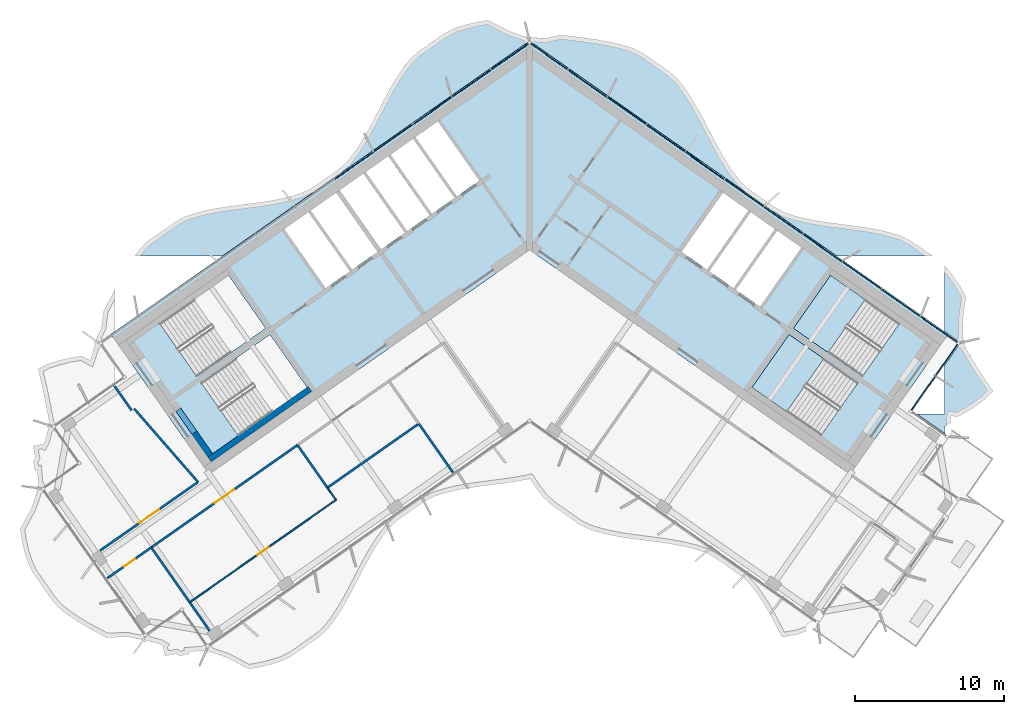
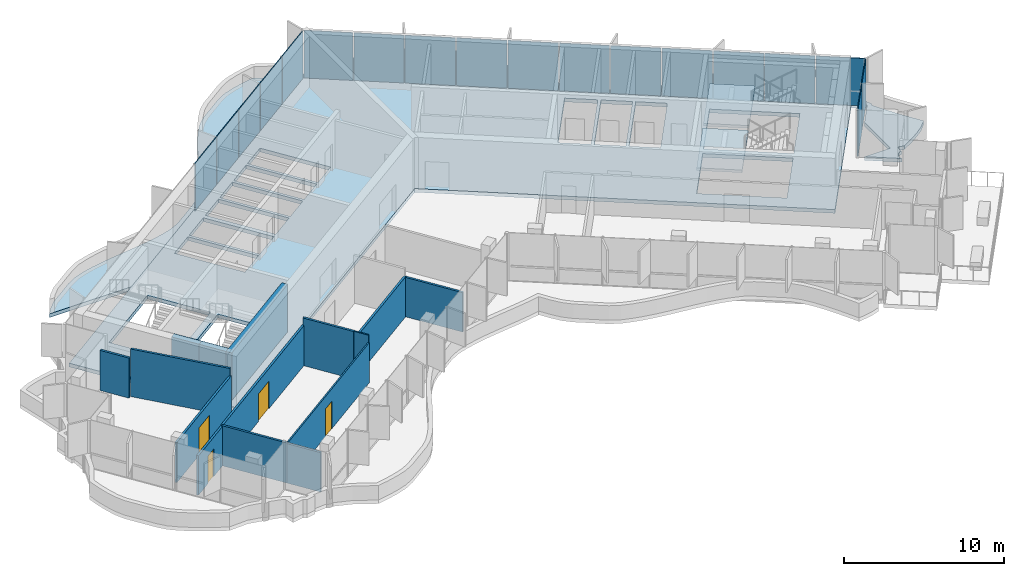
# One storey, part 8 of 18: 18 plates, 15 walls, 5 slabs, 4 doors, 4 openings, 3 elements without a shape of their own.
"""IFC4 building model written with IfcOpenShell, lengths in metres."""

from ifc_helpers import new_model, si_unit, direction, frame, frame_2d, origin, origin_2d, place, context, subcontext, project, spatial, polyline, rectangle, outline, extrude, material, layer, layer_set, type_object, element, fill, aggregate, save


model = new_model("IFC4")

# Units and contexts
model_context = context("Model", 3, precision=1e-05, world=origin(), true_north=direction((0.0, 1.0)))
body_context = subcontext(model_context, "Body", "Model", "MODEL_VIEW")
ifc_project = project(units=[si_unit("LENGTHUNIT", "METRE"), si_unit("AREAUNIT", "SQUARE_METRE"), si_unit("VOLUMEUNIT", "CUBIC_METRE"), si_unit("PLANEANGLEUNIT", "RADIAN"), si_unit("MASSUNIT", "GRAM", prefix="KILO")], contexts=[model_context])

# Site, building, storey
site_placement = place(None, origin())
site = spatial("IfcSite", under=ifc_project, at=site_placement, CompositionType="ELEMENT")
building_placement = place(site_placement, origin())
building = spatial("IfcBuilding", under=site, at=building_placement, Name="Tel Ilan Convention Tower", CompositionType="ELEMENT")
storey_placement = place(building_placement, frame((0.0, 0.0, 272.199951171875)))
storey = spatial("IfcBuildingStorey", under=building, at=storey_placement, Name="L64", CompositionType="ELEMENT", Elevation=272.199951171875)

# Curtain wall, plates
ifc_material_1 = material(Name="Aluminium, bronze anodised", Category="aluminium")
curtain_wall_type = type_object("IfcCurtainWallType", Name="CW2 STICK CURTAIN WALL, SPANDREL PANELS", PredefinedType="NOTDEFINED", material=ifc_material_1)
curtain_wall_placement = place(storey_placement, origin())
curtain_wall = element("IfcCurtainWall", 1, at=curtain_wall_placement, inside=storey, type_object=curtain_wall_type, Name="Curtain wall CW2-49.03", PredefinedType="NOTDEFINED")
ifc_material_2 = material(Name="Aluminium composite panel, bronze anodised", Category="aluminium")
ifc_layer_1 = layer(ifc_material_2, 0.06005859375)
ifc_layer_set_1 = layer_set([ifc_layer_1], Name="CW SPANDREL PANEL 60")
plate_type = type_object("IfcPlateType", Name="CW SPANDREL PANEL 60", PredefinedType="CURTAIN_PANEL", material=ifc_layer_set_1)
plate_1_placement = place(storey_placement, frame((26.45947265625, -10.85400390625, 0.0), z_axis=(0.0, 0.0, 1.0), x_axis=(0.573576436351, 0.819152044289, 0.0)))
plate_1 = element("IfcPlate", 2, at=plate_1_placement, type_object=plate_type, Name="Spandrel panel", PredefinedType="CURTAIN_PANEL", context=body_context, shape_type="SweptSolid", body=[
    extrude(rectangle(XDim=2.76904296875, YDim=0.06005859375, at=origin_2d()), origin(), (0.0, 0.0, 1.0), 3.6201171875),
])
plate_2_placement = place(storey_placement, frame((28.042236328125, -8.593505859375, 0.0), z_axis=(0.0, 0.0, 1.0), x_axis=(0.573576436351, 0.819152044289, 0.0)))
plate_2 = element("IfcPlate", 3, at=plate_2_placement, type_object=plate_type, Name="Spandrel panel", PredefinedType="CURTAIN_PANEL", context=body_context, shape_type="SweptSolid", body=[
    extrude(rectangle(XDim=2.6298828125, YDim=0.06005859375, at=origin_2d()), origin(), (0.0, 0.0, 1.0), 3.6201171875),
])
plate_3_placement = place(storey_placement, frame((27.5400390625, -6.587646484375, 0.0), z_axis=(0.0, 0.0, 1.0), x_axis=(-0.819152044289, 0.573576436351, 0.0)))
plate_3 = element("IfcPlate", 4, at=plate_3_placement, type_object=plate_type, Name="Spandrel panel", PredefinedType="CURTAIN_PANEL", context=body_context, shape_type="SweptSolid", body=[
    extrude(rectangle(XDim=3.0439453125, YDim=0.06005859375, at=origin_2d()), origin(), (0.0, 0.0, 1.0), 3.6201171875),
])
plate_4_placement = place(storey_placement, frame((24.95263671875, -4.77587890625, 0.0), z_axis=(0.0, 0.0, 1.0), x_axis=(-0.819152044289, 0.573576436351, 0.0)))
plate_4 = element("IfcPlate", 5, at=plate_4_placement, type_object=plate_type, Name="Spandrel panel", PredefinedType="CURTAIN_PANEL", context=body_context, shape_type="SweptSolid", body=[
    extrude(rectangle(XDim=3.15380859375, YDim=0.06005859375, at=origin_2d()), origin(), (0.0, 0.0, 1.0), 3.6201171875),
])
plate_5_placement = place(storey_placement, frame((22.31982421875, -2.9326171875, 0.0), z_axis=(0.0, 0.0, 1.0), x_axis=(-0.819152044289, 0.573576436351, 0.0)))
plate_5 = element("IfcPlate", 6, at=plate_5_placement, type_object=plate_type, Name="Spandrel panel", PredefinedType="CURTAIN_PANEL", context=body_context, shape_type="SweptSolid", body=[
    extrude(rectangle(XDim=3.15380859375, YDim=0.06005859375, at=origin_2d()), origin(), (0.0, 0.0, 1.0), 3.6201171875),
])
plate_6_placement = place(storey_placement, frame((19.687255859375, -1.089111328125, 0.0), z_axis=(0.0, 0.0, 1.0), x_axis=(-0.819152044289, 0.573576436351, 0.0)))
plate_6 = element("IfcPlate", 7, at=plate_6_placement, type_object=plate_type, Name="Spandrel panel", PredefinedType="CURTAIN_PANEL", context=body_context, shape_type="SweptSolid", body=[
    extrude(rectangle(XDim=3.15380859375, YDim=0.06005859375, at=origin_2d()), origin(), (0.0, 0.0, 1.0), 3.6201171875),
])
plate_7_placement = place(storey_placement, frame((17.0546875, 0.754150390625, 0.0), z_axis=(0.0, 0.0, 1.0), x_axis=(-0.819152044289, 0.573576436351, 0.0)))
plate_7 = element("IfcPlate", 8, at=plate_7_placement, type_object=plate_type, Name="Spandrel panel", PredefinedType="CURTAIN_PANEL", context=body_context, shape_type="SweptSolid", body=[
    extrude(rectangle(XDim=3.15380859375, YDim=0.06005859375, at=origin_2d()), origin(), (0.0, 0.0, 1.0), 3.6201171875),
])
plate_8_placement = place(storey_placement, frame((14.422119140625, 2.59765625, 0.0), z_axis=(0.0, 0.0, 1.0), x_axis=(-0.819152044289, 0.573576436351, 0.0)))
plate_8 = element("IfcPlate", 9, at=plate_8_placement, type_object=plate_type, Name="Spandrel panel", PredefinedType="CURTAIN_PANEL", context=body_context, shape_type="SweptSolid", body=[
    extrude(rectangle(XDim=3.15380859375, YDim=0.06005859375, at=origin_2d()), origin(), (0.0, 0.0, 1.0), 3.6201171875),
])
plate_9_placement = place(storey_placement, frame((11.789306640625, 4.44091796875, 0.0), z_axis=(0.0, 0.0, 1.0), x_axis=(-0.819152044289, 0.573576436351, 0.0)))
plate_9 = element("IfcPlate", 10, at=plate_9_placement, type_object=plate_type, Name="Spandrel panel", PredefinedType="CURTAIN_PANEL", context=body_context, shape_type="SweptSolid", body=[
    extrude(rectangle(XDim=3.15380859375, YDim=0.06005859375, at=origin_2d()), origin(), (0.0, 0.0, 1.0), 3.6201171875),
])
plate_10_placement = place(storey_placement, frame((9.15673828125, 6.284423828125, 0.0), z_axis=(0.0, 0.0, 1.0), x_axis=(-0.819152044289, 0.573576436351, 0.0)))
plate_10 = element("IfcPlate", 11, at=plate_10_placement, type_object=plate_type, Name="Spandrel panel", PredefinedType="CURTAIN_PANEL", context=body_context, shape_type="SweptSolid", body=[
    extrude(rectangle(XDim=3.15380859375, YDim=0.06005859375, at=origin_2d()), origin(), (0.0, 0.0, 1.0), 3.6201171875),
])
plate_11_placement = place(storey_placement, frame((6.524169921875, 8.127685546875, 0.0), z_axis=(0.0, 0.0, 1.0), x_axis=(-0.819152044289, 0.573576436351, 0.0)))
plate_11 = element("IfcPlate", 12, at=plate_11_placement, type_object=plate_type, Name="Spandrel panel", PredefinedType="CURTAIN_PANEL", context=body_context, shape_type="SweptSolid", body=[
    extrude(rectangle(XDim=3.15380859375, YDim=0.06005859375, at=origin_2d()), origin(), (0.0, 0.0, 1.0), 3.6201171875),
])
plate_12_placement = place(storey_placement, frame((3.8916015625, 9.97119140625, 0.0), z_axis=(0.0, 0.0, 1.0), x_axis=(-0.819152044289, 0.573576436351, 0.0)))
plate_12 = element("IfcPlate", 13, at=plate_12_placement, type_object=plate_type, Name="Spandrel panel", PredefinedType="CURTAIN_PANEL", context=body_context, shape_type="SweptSolid", body=[
    extrude(rectangle(XDim=3.15380859375, YDim=0.06005859375, at=origin_2d()), origin(), (0.0, 0.0, 1.0), 3.6201171875),
])
plate_13_placement = place(storey_placement, frame((1.303955078125, 11.782958984375, 0.0), z_axis=(0.0, 0.0, 1.0), x_axis=(-0.819152044289, 0.573576436351, 0.0)))
plate_13 = element("IfcPlate", 14, at=plate_13_placement, type_object=plate_type, Name="Spandrel panel", PredefinedType="CURTAIN_PANEL", context=body_context, shape_type="SweptSolid", body=[
    extrude(rectangle(XDim=3.0439453125, YDim=0.06005859375, at=origin_2d()), origin(), (0.0, 0.0, 1.0), 3.6201171875),
])
plate_14_placement = place(storey_placement, frame((-1.303955078125, 11.782958984375, 0.0), z_axis=(0.0, 0.0, 1.0), x_axis=(-0.819152044289, -0.573576436351, 0.0)))
plate_14 = element("IfcPlate", 15, at=plate_14_placement, type_object=plate_type, Name="Spandrel panel", PredefinedType="CURTAIN_PANEL", context=body_context, shape_type="SweptSolid", body=[
    extrude(rectangle(XDim=3.0439453125, YDim=0.06005859375, at=origin_2d()), origin(), (0.0, 0.0, 1.0), 3.6201171875),
])
plate_15_placement = place(storey_placement, frame((-3.8916015625, 9.97119140625, 0.0), z_axis=(0.0, 0.0, 1.0), x_axis=(-0.819152044289, -0.573576436351, 0.0)))
plate_15 = element("IfcPlate", 16, at=plate_15_placement, type_object=plate_type, Name="Spandrel panel", PredefinedType="CURTAIN_PANEL", context=body_context, shape_type="SweptSolid", body=[
    extrude(rectangle(XDim=3.15380859375, YDim=0.06005859375, at=origin_2d()), origin(), (0.0, 0.0, 1.0), 3.6201171875),
])
plate_16_placement = place(storey_placement, frame((-6.524169921875, 8.127685546875, 0.0), z_axis=(0.0, 0.0, 1.0), x_axis=(-0.819152044289, -0.573576436351, 0.0)))
plate_16 = element("IfcPlate", 17, at=plate_16_placement, type_object=plate_type, Name="Spandrel panel", PredefinedType="CURTAIN_PANEL", context=body_context, shape_type="SweptSolid", body=[
    extrude(rectangle(XDim=3.15380859375, YDim=0.06005859375, at=origin_2d()), origin(), (0.0, 0.0, 1.0), 3.6201171875),
])
plate_17_placement = place(storey_placement, frame((-9.15673828125, 6.284423828125, 0.0), z_axis=(0.0, 0.0, 1.0), x_axis=(-0.819152044289, -0.573576436351, 0.0)))
plate_17 = element("IfcPlate", 18, at=plate_17_placement, type_object=plate_type, Name="Spandrel panel", PredefinedType="CURTAIN_PANEL", context=body_context, shape_type="SweptSolid", body=[
    extrude(rectangle(XDim=3.15380859375, YDim=0.06005859375, at=origin_2d()), origin(), (0.0, 0.0, 1.0), 3.6201171875),
])
plate_18_placement = place(storey_placement, frame((-11.789306640625, 4.44091796875, 0.0), z_axis=(0.0, 0.0, 1.0), x_axis=(-0.819152044289, -0.573576436351, 0.0)))
plate_18 = element("IfcPlate", 19, at=plate_18_placement, type_object=plate_type, Name="Spandrel panel", PredefinedType="CURTAIN_PANEL", context=body_context, shape_type="SweptSolid", body=[
    extrude(rectangle(XDim=3.15380859375, YDim=0.06005859375, at=origin_2d()), origin(), (0.0, 0.0, 1.0), 3.6201171875),
])
aggregate(curtain_wall, [plate_1, plate_2, plate_3, plate_4, plate_5, plate_6, plate_7, plate_8, plate_9, plate_10, plate_11, plate_12, plate_13, plate_14, plate_15, plate_16, plate_17, plate_18])

# Stair, slab
ifc_material_3 = material(Name="Concrete C40/50", Category="concrete")
stair_type = type_object("IfcStairType", Name="Pressurised Exit Stair 22 risers 177 mm", PredefinedType="HALF_TURN_STAIR", material=ifc_material_3)
stair_1_placement = place(storey_placement, origin())
stair_1 = element("IfcStair", 20, at=stair_1_placement, inside=storey, type_object=stair_type, Name="L64 Pressurised Stair S3", PredefinedType="HALF_TURN_STAIR")
ifc_material_4 = material(Name="Concrete C40/50", Category="concrete")
ifc_layer_2 = layer(ifc_material_4, 0.199951171875)
ifc_layer_set_2 = layer_set([ifc_layer_2], Name="Concrete Stair Landing 200 mm C40/50")
slab_type_1 = type_object("IfcSlabType", Name="Concrete Stair Landing 200 mm", PredefinedType="LANDING", material=ifc_layer_set_2)
slab_1_placement = place(storey_placement, frame((0.0, 0.0, 1.75)))
slab_1 = element("IfcSlab", 21, at=slab_1_placement, type_object=slab_type_1, Name="S3 landing 1", PredefinedType="LANDING", context=body_context, shape_type="SweptSolid", body=[
    extrude(outline(polyline([(22.561767578125, -4.566650390625), (20.226318359375, -2.931640625), (17.7314453125, -6.494873046875), (20.066650390625, -8.130126953125), (22.561767578125, -4.566650390625)])), origin(), (0.0, 0.0, 1.0), 0.199951171875),
])
aggregate(stair_1, [slab_1])

stair_2_placement = place(storey_placement, origin())
stair_2 = element("IfcStair", 22, at=stair_2_placement, inside=storey, type_object=stair_type, Name="L64 Pressurised Stair S4", PredefinedType="HALF_TURN_STAIR")
slab_2_placement = place(storey_placement, frame((0.0, 0.0, 1.75)))
slab_2 = element("IfcSlab", 23, at=slab_2_placement, type_object=slab_type_1, Name="S4 landing 1", PredefinedType="LANDING", context=body_context, shape_type="SweptSolid", body=[
    extrude(outline(polyline([(19.77978515625, -8.53955078125), (17.444580078125, -6.904541015625), (14.949462890625, -10.4677734375), (17.28466796875, -12.10302734375), (19.77978515625, -8.53955078125)])), origin(), (0.0, 0.0, 1.0), 0.199951171875),
])
aggregate(stair_2, [slab_2])

# Slabs
ifc_material_5 = material(Name="Concrete C40/50", Category="concrete")
ifc_layer_3 = layer(ifc_material_5, 0.280029296875)
ifc_layer_set_3 = layer_set([ifc_layer_3], Name="Core Floor Slab 280 mm C40/50")
slab_type_2 = type_object("IfcSlabType", Name="Core Floor Slab 280 mm C40/50", PredefinedType="FLOOR", material=ifc_layer_set_3)
slab_3_placement = place(storey_placement, frame((0.0, 0.0, -0.280029296875)))
element("IfcSlab", 24, at=slab_3_placement, inside=storey, type_object=slab_type_2, Name="L64 core floor 1", PredefinedType="FLOOR", context=body_context, shape_type="SweptSolid", body=[
    extrude(outline(polyline([(-28.1396484375, -6.885498046875), (0.0, 12.818115234375), (28.1396484375, -6.885498046875), (21.54345703125, -16.3056640625), (0.0, -1.220703125), (-21.54345703125, -16.3056640625), (-28.1396484375, -6.885498046875)]), holes=[polyline([(-17.444580078125, -6.904541015625), (-22.072021484375, -10.144775390625), (-19.5771484375, -13.7080078125), (-14.949462890625, -10.4677734375), (-17.444580078125, -6.904541015625)]), polyline([(-17.7314453125, -6.494873046875), (-20.226318359375, -2.931640625), (-24.85400390625, -6.171875), (-22.35888671875, -9.735107421875), (-17.7314453125, -6.494873046875)]), polyline([(-14.864990234375, 1.310791015625), (-16.48291015625, 0.177978515625), (-13.701171875, -3.794921875), (-12.083251953125, -2.662109375), (-14.864990234375, 1.310791015625)]), polyline([(-14.701416015625, 1.425537109375), (-11.91943359375, -2.54736328125), (-10.2197265625, -1.357421875), (-13.001708984375, 2.615478515625), (-14.701416015625, 1.425537109375)]), polyline([(-11.168701171875, 3.89892578125), (-12.755859375, 2.78759765625), (-9.97412109375, -1.185302734375), (-8.386962890625, -0.073974609375), (-11.168701171875, 3.89892578125)]), polyline([(-9.499755859375, 5.067626953125), (-11.0048828125, 4.013671875), (-8.222900390625, 0.040771484375), (-6.718017578125, 1.0947265625), (-9.499755859375, 5.067626953125)]), polyline([(-9.3359375, 5.182373046875), (-6.553955078125, 1.20947265625), (-5.048828125, 2.263427734375), (-7.830810546875, 6.236328125), (-9.3359375, 5.182373046875)]), polyline([(17.444580078125, -6.904541015625), (14.949462890625, -10.4677734375), (19.5771484375, -13.7080078125), (22.072021484375, -10.144775390625), (17.444580078125, -6.904541015625)]), polyline([(20.226318359375, -2.931640625), (17.7314453125, -6.494873046875), (22.35888671875, -9.735107421875), (24.85400390625, -6.171875), (20.226318359375, -2.931640625)]), polyline([(15.48291015625, -5.04248046875), (18.2646484375, -1.069580078125), (16.646728515625, 0.063232421875), (13.864990234375, -3.90966796875), (15.48291015625, -5.04248046875)]), polyline([(13.701171875, -3.794921875), (16.48291015625, 0.177978515625), (14.864990234375, 1.310791015625), (12.083251953125, -2.662109375), (13.701171875, -3.794921875)]), polyline([(11.91943359375, -2.54736328125), (14.701416015625, 1.425537109375), (13.001708984375, 2.615478515625), (10.2197265625, -1.357421875), (11.91943359375, -2.54736328125)]), polyline([(-6.16162109375, 7.405029296875), (-7.666748046875, 6.35107421875), (-4.885009765625, 2.378173828125), (-3.3798828125, 3.43212890625), (-6.16162109375, 7.405029296875)])]), origin(), (0.0, 0.0, 1.0), 0.280029296875),
])
ifc_material_6 = material(Name="Concrete C40/50", Category="concrete")
ifc_layer_4 = layer(ifc_material_6, 0.280029296875)
ifc_layer_set_4 = layer_set([ifc_layer_4], Name="Edge Ledge Slab 280 mm C40/50")
slab_type_3 = type_object("IfcSlabType", Name="Edge Ledge Slab 280 mm C40/50", PredefinedType="FLOOR", material=ifc_layer_set_4)
slab_4_placement = place(storey_placement, frame((0.0, 0.0, -0.280029296875)))
element("IfcSlab", 25, at=slab_4_placement, inside=storey, type_object=slab_type_3, Name="L64 edge ledge 2", PredefinedType="FLOOR", context=body_context, shape_type="SweptSolid", body=[
    extrude(outline(polyline([(-20.91259765625, 1.594482421875), (-20.099365234375, 1.71728515625), (-19.275146484375, 1.824462890625), (-18.44970703125, 1.9296875), (-17.6328125, 2.047119140625), (-16.833984375, 2.18994140625), (-16.0615234375, 2.37109375), (-15.3232421875, 2.6005859375), (-14.651611328125, 2.92529296875), (-12.841552734375, 4.192626953125), (-12.284912109375, 4.681640625), (-11.809326171875, 5.28662109375), (-11.369140625, 5.94189453125), (-10.956787109375, 6.63720703125), (-10.564453125, 7.36083984375), (-10.182373046875, 8.09912109375), (-9.80078125, 8.83837890625), (-9.410400390625, 9.564697265625), (-9.001220703125, 10.264404296875), (-8.56494140625, 10.925537109375), (-8.094482421875, 11.53759765625), (-7.552001953125, 12.047119140625), (-5.7421875, 13.314208984375), (-5.0849609375, 13.66015625), (-4.3515625, 13.896484375), (-3.5830078125, 14.083251953125), (-2.785888671875, 14.228515625), (-1.357666015625, 13.472900390625), (-0.172119140625, 13.06396484375), (-0.168701171875, 13.05908203125), (-0.11474609375, 13.09521484375), (0.0, 13.1181640625), (0.11474609375, 13.09521484375), (0.168701171875, 13.05908203125), (0.172119140625, 13.06396484375), (1.02001953125, 12.99072265625), (2.08935546875, 13.234130859375), (2.913818359375, 13.12744140625), (3.739501953125, 13.0224609375), (4.55712890625, 12.90625), (5.357666015625, 12.765380859375), (6.132080078125, 12.587158203125), (6.872802734375, 12.361083984375), (7.552001953125, 12.047119140625), (9.36181640625, 10.77978515625), (9.925537109375, 10.300537109375), (10.403564453125, 9.69921875), (10.845947265625, 9.046875), (11.259521484375, 8.353515625), (11.653076171875, 7.631591796875), (12.035400390625, 6.893798828125), (12.416748046875, 6.154052734375), (12.806396484375, 5.426513671875), (13.214111328125, 4.724609375), (13.648193359375, 4.060791015625), (14.116455078125, 3.4453125), (14.651611328125, 2.92529296875), (16.46142578125, 1.657958984375), (17.111328125, 1.30224609375), (17.84228515625, 1.062255859375), (18.60888671875, 0.87255859375), (19.4033203125, 0.72314453125), (20.21728515625, 0.601806640625), (21.0419921875, 0.495361328125), (21.8671875, 0.3896484375), (22.68310546875, 0.27099609375), (23.480712890625, 0.1259765625), (24.2509765625, -0.057861328125), (24.987060546875, -0.290771484375), (25.6513671875, -0.626220703125), (27.087158203125, -1.631591796875), (20.63623046875, -1.631591796875), (0.0, 12.818115234375), (-20.63623046875, -1.631591796875), (-26.535888671875, -1.631591796875), (-26.1787109375, -1.156982421875), (-25.6513671875, -0.626220703125), (-23.84130859375, 0.64111328125), (-23.1982421875, 1.006591796875), (-22.4697265625, 1.250244140625), (-21.705322265625, 1.44287109375), (-20.91259765625, 1.594482421875)])), origin(), (0.0, 0.0, 1.0), 0.280029296875),
])
slab_5_placement = place(storey_placement, frame((0.0, 0.0, -0.280029296875)))
element("IfcSlab", 26, at=slab_5_placement, inside=storey, type_object=slab_type_3, Name="L64 edge ledge 3", PredefinedType="FLOOR", context=body_context, shape_type="SweptSolid", body=[
    extrude(outline(polyline([(28.958740234375, -7.458984375), (27.875, -6.7001953125), (27.875, -2.269287109375), (28.0107421875, -2.392578125), (28.48388671875, -3.001220703125), (28.922119140625, -3.6591796875), (29.331298828125, -4.35888671875), (29.109619140625, -5.95947265625), (29.130859375, -7.21337890625), (29.127685546875, -7.218017578125), (29.1708984375, -7.246826171875), (29.236083984375, -7.34423828125), (29.2587890625, -7.458984375), (29.236083984375, -7.57373046875), (29.199951171875, -7.6279296875), (29.20458984375, -7.631103515625), (30.056640625, -9.082275390625), (31.151123046875, -10.703125), (30.66748046875, -11.218994140625), (30.077880859375, -11.660888671875), (29.445068359375, -12.072265625), (28.752685546875, -12.44189453125), (28.33642578125, -12.373291015625), (28.291748046875, -12.595947265625), (28.314453125, -12.845703125), (28.293212890625, -12.848388671875), (28.2451171875, -12.859130859375), (28.19873046875, -12.874755859375), (28.15380859375, -12.894775390625), (28.111083984375, -12.9189453125), (28.0712890625, -12.947265625), (28.0341796875, -12.9794921875), (28.00048828125, -13.01513671875), (27.97021484375, -13.053955078125), (27.944091796875, -13.095458984375), (27.922119140625, -13.139404296875), (27.90478515625, -13.18505859375), (27.8916015625, -13.232421875), (27.883544921875, -13.28076171875), (27.8798828125, -13.329833984375), (27.88134765625, -13.37890625), (27.887451171875, -13.427490234375), (27.8984375, -13.475341796875), (27.913818359375, -13.52197265625), (27.941162109375, -13.582763671875), (26.023681640625, -12.239990234375), (27.875, -12.239990234375), (27.875, -9.007080078125), (28.958740234375, -7.458984375)])), origin(), (0.0, 0.0, 1.0), 0.280029296875),
])

# Wall, opening, door
ifc_material_7 = material(Name="Plasterboard on Steel Studs", Category="steel")
ifc_layer_5 = layer(ifc_material_7, 0.14990234375)
ifc_layer_set_5 = layer_set([ifc_layer_5], Name="Fire-rated Partition 150 EI 60")
wall_type_1 = type_object("IfcWallType", Name="Fire-rated Partition 150 EI 60", PredefinedType="PARTITIONING", material=ifc_layer_set_5)
wall_1_placement = place(storey_placement, frame((-28.858154296875, -21.428466796875, 0.0), z_axis=(0.0, 0.0, 1.0), x_axis=(0.819137602434, 0.573597060905, 0.0)))
wall_1 = element("IfcWall", 27, at=wall_1_placement, inside=storey, type_object=wall_type_1, Name="Partition 007", PredefinedType="PARTITIONING", context=body_context, shape_type="SweptSolid", body=[
    extrude(rectangle(XDim=8.02685546875, YDim=0.14990234375, at=frame_2d((4.013427734375, 0.0))), origin(), (0.0, 0.0, 1.0), 3.050048828125),
])
opening_1_placement = place(wall_1_placement, frame((3.21337890625, 0.0, 0.0)))
opening_1 = element("IfcOpeningElement", 28, at=opening_1_placement, cuts=wall_1, Name="Opening L64-006", PredefinedType="OPENING", context=body_context, shape_type="SweptSolid", body=[
    extrude(rectangle(XDim=1.60009765625, YDim=2.10009765625, at=frame_2d((0.800048828125, 1.050048828125))), frame((0.0, 0.0849609375, 0.0), z_axis=(0.0, -1.0, 0.0), x_axis=(1.0, 0.0, 0.0)), (0.0, 0.0, 1.0), 0.169921875),
])
ifc_material_8 = material(Name="Timber Door Leaf in Steel Frame", Category="steel")
door_type_1 = type_object("IfcDoorType", Name="Tenant Suite Entrance Fire Door 1600x2100", OperationType="NOTDEFINED", PredefinedType="DOOR", material=ifc_material_8)
door_1_placement = place(opening_1_placement, origin())
door_1 = element("IfcDoor", 29, at=door_1_placement, inside=storey, type_object=door_type_1, Name="Door L64-006", OperationType="DOUBLE_DOOR_SINGLE_SWING", OverallHeight=2.10009765625, OverallWidth=1.60009765625, PredefinedType="DOOR", context=body_context, shape_type="SweptSolid", body=[
    extrude(rectangle(XDim=1.60009765625, YDim=2.10009765625, at=frame_2d((0.800048828125, 1.050048828125))), frame((0.0, 0.02490234375, 0.0), z_axis=(0.0, -1.0, 0.0), x_axis=(1.0, 0.0, 0.0)), (0.0, 0.0, 1.0), 0.050048828125),
])
fill(opening_1, door_1)

wall_2_placement = place(storey_placement, frame((-15.594482421875, -14.337646484375, 0.0), z_axis=(0.0, 0.0, 1.0), x_axis=(-0.819154519377, -0.573572901543, 0.0)))
wall_2 = element("IfcWall", 30, at=wall_2_placement, inside=storey, type_object=wall_type_1, Name="Partition 010", PredefinedType="PARTITIONING", context=body_context, shape_type="SweptSolid", body=[
    extrude(rectangle(XDim=12.004150390625, YDim=0.14990234375, at=frame_2d((6.001953125, 0.0))), origin(), (0.0, 0.0, 1.0), 3.050048828125),
])
opening_2_placement = place(wall_2_placement, frame((5.201904296875, 0.0, 0.0)))
opening_2 = element("IfcOpeningElement", 31, at=opening_2_placement, cuts=wall_2, Name="Opening L64-003", PredefinedType="OPENING", context=body_context, shape_type="SweptSolid", body=[
    extrude(rectangle(XDim=1.60009765625, YDim=2.10009765625, at=frame_2d((0.800048828125, 1.050048828125))), frame((0.0, 0.0849609375, 0.0), z_axis=(0.0, -1.0, 0.0), x_axis=(1.0, 0.0, 0.0)), (0.0, 0.0, 1.0), 0.169921875),
])
door_2_placement = place(opening_2_placement, origin())
door_2 = element("IfcDoor", 32, at=door_2_placement, inside=storey, type_object=door_type_1, Name="Door L64-003", OperationType="DOUBLE_DOOR_SINGLE_SWING", OverallHeight=2.10009765625, OverallWidth=1.60009765625, PredefinedType="DOOR", context=body_context, shape_type="SweptSolid", body=[
    extrude(rectangle(XDim=1.60009765625, YDim=2.10009765625, at=frame_2d((0.800048828125, 1.050048828125))), frame((0.0, 0.02490234375, 0.0), z_axis=(0.0, -1.0, 0.0), x_axis=(1.0, 0.0, 0.0)), (0.0, 0.0, 1.0), 0.050048828125),
])
fill(opening_2, door_2)

wall_3_placement = place(storey_placement, frame((-25.42431640625, -21.220458984375, 0.0), z_axis=(0.0, 0.0, 1.0), x_axis=(-0.819142755392, -0.573589702042, 0.0)))
wall_3 = element("IfcWall", 33, at=wall_3_placement, inside=storey, type_object=wall_type_1, Name="Partition 011", PredefinedType="PARTITIONING", context=body_context, shape_type="SweptSolid", body=[
    extrude(rectangle(XDim=3.60205078125, YDim=0.14990234375, at=frame_2d((1.801025390625, 0.0))), origin(), (0.0, 0.0, 1.0), 3.0),
])
opening_3_placement = place(wall_3_placement, frame((1.35107421875, 0.0, 0.0)))
opening_3 = element("IfcOpeningElement", 34, at=opening_3_placement, cuts=wall_3, Name="Opening L64-005", PredefinedType="OPENING", context=body_context, shape_type="SweptSolid", body=[
    extrude(rectangle(XDim=0.89990234375, YDim=2.10009765625, at=frame_2d((0.449951171875, 1.050048828125))), frame((0.0, 0.0849609375, 0.0), z_axis=(0.0, -1.0, 0.0), x_axis=(1.0, 0.0, 0.0)), (0.0, 0.0, 1.0), 0.169921875),
])
ifc_material_9 = material(Name="Timber Door Leaf in Steel Frame", Category="steel")
door_type_2 = type_object("IfcDoorType", Name="Room Fire Door 900x2100", OperationType="NOTDEFINED", PredefinedType="DOOR", material=ifc_material_9)
door_3_placement = place(opening_3_placement, origin())
door_3 = element("IfcDoor", 35, at=door_3_placement, inside=storey, type_object=door_type_2, Name="Door L64-005", OperationType="SINGLE_SWING_LEFT", OverallHeight=2.10009765625, OverallWidth=0.89990234375, PredefinedType="DOOR", context=body_context, shape_type="SweptSolid", body=[
    extrude(rectangle(XDim=0.89990234375, YDim=2.10009765625, at=frame_2d((0.449951171875, 1.050048828125))), frame((0.0, 0.02490234375, 0.0), z_axis=(0.0, -1.0, 0.0), x_axis=(1.0, 0.0, 0.0)), (0.0, 0.0, 1.0), 0.050048828125),
])
fill(opening_3, door_3)

# Walls
wall_4_placement = place(storey_placement, frame((-26.74609375, -12.013671875, 0.0), z_axis=(0.0, 0.0, 1.0), x_axis=(-0.573568836472, 0.819157365729, 0.0)))
element("IfcWall", 36, at=wall_4_placement, inside=storey, type_object=wall_type_1, Name="Partition 016", PredefinedType="PARTITIONING", context=body_context, shape_type="SweptSolid", body=[
    extrude(rectangle(XDim=2.000244140625, YDim=0.14990234375, at=frame_2d((1.0, 0.0))), origin(), (0.0, 0.0, 1.0), 3.050048828125),
])
wall_5_placement = place(storey_placement, frame((-22.28369140625, -16.826416015625, 0.0), z_axis=(0.0, 0.0, 1.0), x_axis=(-0.656758142177, 0.754101281449, 0.0)))
element("IfcWall", 37, at=wall_5_placement, inside=storey, type_object=wall_type_1, Name="Partition 017", PredefinedType="PARTITIONING", context=body_context, shape_type="SweptSolid", body=[
    extrude(rectangle(XDim=6.53857421875, YDim=0.14990234375, at=frame_2d((3.269287109375, 0.0))), origin(), (0.0, 0.0, 1.0), 3.6201171875),
])
wall_6_placement = place(storey_placement, frame((-5.150634765625, -16.180419921875, 0.0), z_axis=(0.0, 0.0, 1.0), x_axis=(-0.573593387921, 0.81914017441, 0.0)))
element("IfcWall", 38, at=wall_6_placement, inside=storey, type_object=wall_type_1, Name="Partition 019", PredefinedType="PARTITIONING", context=body_context, shape_type="SweptSolid", body=[
    extrude(rectangle(XDim=4.0009765625, YDim=0.14990234375, at=frame_2d((2.00048828125, 0.0))), origin(), (0.0, 0.0, 1.0), 3.0),
])
wall_7_placement = place(storey_placement, frame((-7.445068359375, -12.90380859375, 0.0), z_axis=(0.0, 0.0, 1.0), x_axis=(-0.819137093595, -0.573597787563, 0.0)))
element("IfcWall", 39, at=wall_7_placement, inside=storey, type_object=wall_type_1, Name="Partition 020", PredefinedType="PARTITIONING", context=body_context, shape_type="SweptSolid", body=[
    extrude(rectangle(XDim=7.5, YDim=0.14990234375, at=frame_2d((3.75, 0.0))), origin(), (0.0, 0.0, 1.0), 3.050048828125),
])
wall_8_placement = place(storey_placement, frame((-13.588623046875, -17.205810546875, 0.0), z_axis=(0.0, 0.0, 1.0), x_axis=(-0.573565328398, 0.819159822049, 0.0)))
element("IfcWall", 40, at=wall_8_placement, inside=storey, type_object=wall_type_1, Name="Partition 021", PredefinedType="PARTITIONING", context=body_context, shape_type="SweptSolid", body=[
    extrude(rectangle(XDim=3.500244140625, YDim=0.14990234375, at=frame_2d((1.75, 0.0))), origin(), (0.0, 0.0, 1.0), 3.6201171875),
])
wall_9_placement = place(storey_placement, frame((-21.508544921875, -26.81640625, 0.0), z_axis=(0.0, 0.0, 1.0), x_axis=(-0.573546771379, 0.819172815126, 0.0)))
element("IfcWall", 41, at=wall_9_placement, inside=storey, type_object=wall_type_1, Name="Partition 024", PredefinedType="PARTITIONING", context=body_context, shape_type="SweptSolid", body=[
    extrude(rectangle(XDim=2.328857421875, YDim=0.14990234375, at=frame_2d((1.16455078125, 0.0))), origin(), (0.0, 0.0, 1.0), 3.0),
])
wall_10_placement = place(storey_placement, frame((-22.844970703125, -24.90771484375, 0.0), z_axis=(0.0, 0.0, 1.0), x_axis=(-0.573586141663, 0.819145248471, 0.0)))
element("IfcWall", 42, at=wall_10_placement, inside=storey, type_object=wall_type_1, Name="Partition 025", PredefinedType="PARTITIONING", context=body_context, shape_type="SweptSolid", body=[
    extrude(rectangle(XDim=4.499755859375, YDim=0.14990234375, at=frame_2d((2.25, 0.0))), origin(), (0.0, 0.0, 1.0), 3.050048828125),
])
ifc_material_10 = material(Name="Plasterboard on Steel Studs", Category="steel")
ifc_layer_6 = layer(ifc_material_10, 0.10009765625)
ifc_layer_set_6 = layer_set([ifc_layer_6], Name="Plasterboard Partition 100")
wall_type_2 = type_object("IfcWallType", Name="Plasterboard Partition 100", PredefinedType="PARTITIONING", material=ifc_layer_set_6)
wall_11_placement = place(storey_placement, frame((-13.588134765625, -17.20654296875, 0.0), z_axis=(0.0, 0.0, 1.0), x_axis=(0.573708088123, -0.819059844958, 0.0)))
element("IfcWall", 43, at=wall_11_placement, inside=storey, type_object=wall_type_2, Name="Partition 022", PredefinedType="PARTITIONING", context=body_context, shape_type="SweptSolid", body=[
    extrude(rectangle(XDim=1.0, YDim=0.10009765625, at=frame_2d((0.5, 0.0))), origin(), (0.0, 0.0, 1.0), 3.6201171875),
])

# Wall, opening, door
wall_12_placement = place(storey_placement, frame((-13.014404296875, -18.025634765625, 0.0), z_axis=(0.0, 0.0, 1.0), x_axis=(-0.819146845232, -0.573583861302, 0.0)))
wall_12 = element("IfcWall", 44, at=wall_12_placement, inside=storey, type_object=wall_type_2, Name="Partition 023", PredefinedType="PARTITIONING", context=body_context, shape_type="SweptSolid", body=[
    extrude(rectangle(XDim=12.0, YDim=0.10009765625, at=frame_2d((6.0, 0.0))), origin(), (0.0, 0.0, 1.0), 3.050048828125),
])
opening_4_placement = place(wall_12_placement, frame((5.550048828125, 0.0, 0.0)))
opening_4 = element("IfcOpeningElement", 45, at=opening_4_placement, cuts=wall_12, Name="Opening L64-004", PredefinedType="OPENING", context=body_context, shape_type="SweptSolid", body=[
    extrude(rectangle(XDim=0.89990234375, YDim=2.10009765625, at=frame_2d((0.449951171875, 1.050048828125))), frame((0.0, 0.06005859375, 0.0), z_axis=(0.0, -1.0, 0.0), x_axis=(1.0, 0.0, 0.0)), (0.0, 0.0, 1.0), 0.1201171875),
])
ifc_material_11 = material(Name="Timber Door Leaf in Steel Frame", Category="steel")
door_type_3 = type_object("IfcDoorType", Name="Room Timber Door 900x2100", OperationType="NOTDEFINED", PredefinedType="DOOR", material=ifc_material_11)
door_4_placement = place(opening_4_placement, origin())
door_4 = element("IfcDoor", 46, at=door_4_placement, inside=storey, type_object=door_type_3, Name="Door L64-004", OperationType="SINGLE_SWING_RIGHT", OverallHeight=2.10009765625, OverallWidth=0.89990234375, PredefinedType="DOOR", context=body_context, shape_type="SweptSolid", body=[
    extrude(rectangle(XDim=0.89990234375, YDim=2.10009765625, at=frame_2d((0.449951171875, 1.050048828125))), frame((0.0, 0.02490234375, 0.0), z_axis=(0.0, -1.0, 0.0), x_axis=(1.0, 0.0, 0.0)), (0.0, 0.0, 1.0), 0.050048828125),
])
fill(opening_4, door_4)

# Walls
ifc_material_12 = material(Name="Concrete C30/37", Category="concrete")
ifc_layer_7 = layer(ifc_material_12, 0.39990234375)
ifc_layer_set_7 = layer_set([ifc_layer_7], Name="Stair and Shaft Lining Wall 400 mm C30/37")
wall_type_3 = type_object("IfcWallType", Name="Stair and Shaft Lining Wall 400 mm C30/37", PredefinedType="SOLIDWALL", material=ifc_layer_set_7)
wall_13_placement = place(storey_placement, frame((-14.7529296875, -10.57421875, 0.0), z_axis=(0.0, 0.0, 1.0), x_axis=(-0.819158229677, -0.573567602601, 0.0)))
element("IfcWall", 47, at=wall_13_placement, inside=storey, type_object=wall_type_3, Name="L64 core wall lining-S2-t0", PredefinedType="SOLIDWALL", context=body_context, shape_type="SweptSolid", body=[
    extrude(rectangle(XDim=8.25, YDim=0.39990234375, at=frame_2d((4.125, 0.0))), origin(), (0.0, 0.0, 1.0), 3.6201171875),
])
wall_14_placement = place(storey_placement, frame((-21.4619140625, -15.027587890625, 0.0), z_axis=(0.0, 0.0, 1.0), x_axis=(-0.573559770908, 0.819163713305, 0.0)))
element("IfcWall", 48, at=wall_14_placement, inside=storey, type_object=wall_type_3, Name="L64 core wall lining-S2-u1-0", PredefinedType="SOLIDWALL", context=body_context, shape_type="SweptSolid", body=[
    extrude(rectangle(XDim=1.849853515625, YDim=0.39990234375, at=frame_2d((0.9248046875, 0.0))), origin(), (0.0, 0.0, 1.0), 3.6201171875),
])
wall_15_placement = place(storey_placement, frame((-22.52294921875, -13.51220703125, 2.150146484375), z_axis=(0.0, 0.0, 1.0), x_axis=(-0.573591692345, 0.819141361715, 0.0)))
element("IfcWall", 49, at=wall_15_placement, inside=storey, type_object=wall_type_3, Name="L64 core wall lining-S2-u1-lintel", PredefinedType="SOLIDWALL", context=body_context, shape_type="SweptSolid", body=[
    extrude(rectangle(XDim=1.900146484375, YDim=0.39990234375, at=frame_2d((0.9501953125, 0.0))), origin(), (0.0, 0.0, 1.0), 1.469970703125),
])

save(model, "model.ifc")
